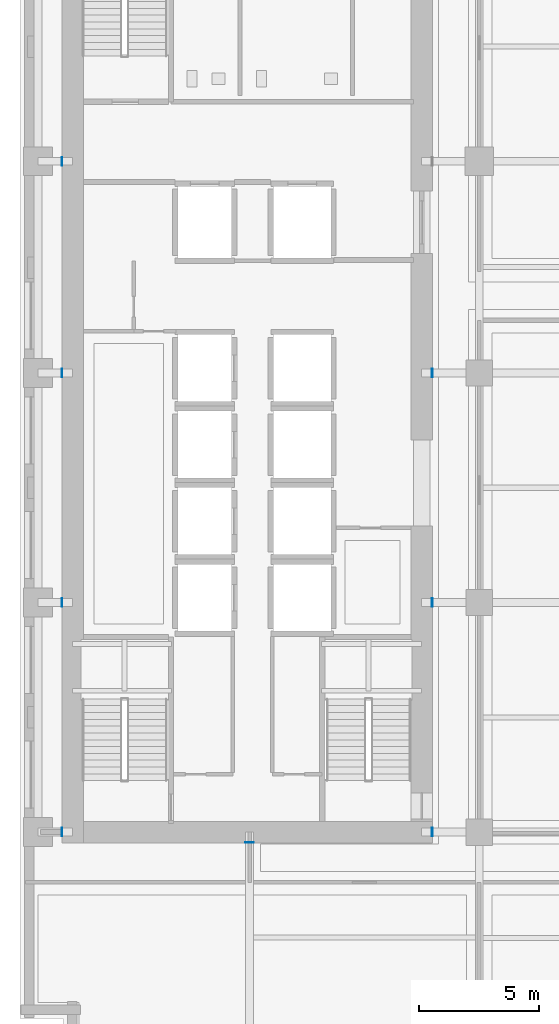
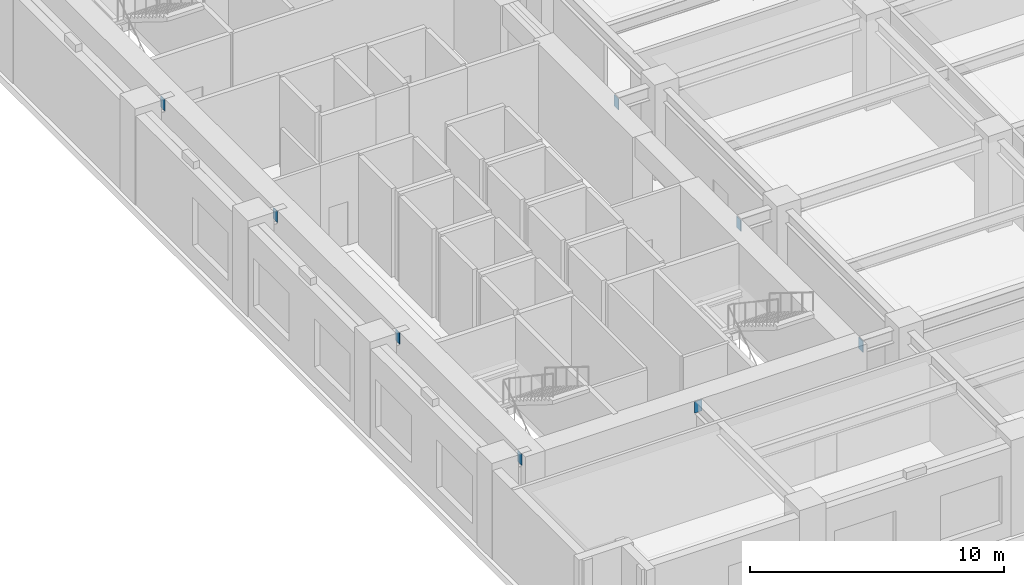
# One storey, part 14 of 24: 8 discrete accessories.
"""IFC4 building model written with IfcOpenShell, lengths in metres."""

import ifcopenshell
import ifcopenshell.guid

model = None  # the IFC model being written
_history = None  # IfcOwnerHistory: only IFC2X3 demands one
_inside = {}  # id of a spatial element -> (the spatial element, [elements in it])
_under = {}  # id of a project, library or spatial element -> (it, [spatial elements below it])
_declared = {}  # id of a project -> (the project, [libraries it declares])
_typed = {}  # id of a type object -> (the type object, [elements of that type])
_made_of = {}  # id of a material, layer set ... -> (it, [elements and type objects made of it])


def new_model(schema):
    """Start an empty IFC model of exactly this schema.

    Asked for "IFC4X3", IfcOpenShell would pick the latest addendum, in which some entities
    have other attributes; the version numbers below select the first issue.
    IFC2X3 requires an IfcOwnerHistory on every rooted entity: one is made here for all.
    """
    global model, _history
    if schema == "IFC4X3":
        model = ifcopenshell.file(schema_version=(4, 3, 0, 0))
    else:
        model = ifcopenshell.file(schema=schema)
    _inside.clear()
    _under.clear()
    _declared.clear()
    _typed.clear()
    _made_of.clear()
    _history = None
    if model.schema == "IFC2X3":
        org = make("IfcOrganization", Name="unknown")
        user = make(
            "IfcPersonAndOrganization",
            ThePerson=make("IfcPerson", FamilyName="unknown"),
            TheOrganization=org,
        )
        app = make(
            "IfcApplication",
            ApplicationDeveloper=org,
            Version="unknown",
            ApplicationFullName="unknown",
            ApplicationIdentifier="unknown",
        )
        _history = make(
            "IfcOwnerHistory",
            OwningUser=user,
            OwningApplication=app,
            ChangeAction="ADDED",
            CreationDate=0,
        )
    return model


def make(cls, **values):
    """One entity of the class cls with the attributes given. An attribute that is None is left unset."""
    return model.create_entity(
        cls, **{name: value for name, value in values.items() if value is not None}
    )


def rooted(cls, **values):
    """An entity with a GlobalId (a new one), such as an element, a storey or a relation."""
    return make(cls, GlobalId=ifcopenshell.guid.new(), OwnerHistory=_history, **values)


def si_unit(unit_type, name, prefix=None):
    """IfcSIUnit, for example si_unit("LENGTHUNIT", "METRE", prefix="MILLI")."""
    return make("IfcSIUnit", UnitType=unit_type, Prefix=prefix, Name=name)


def assignment(units):
    """IfcUnitAssignment: the units of a project."""
    return None if units is None else make("IfcUnitAssignment", Units=units)


def point(xyz):
    """IfcCartesianPoint."""
    return None if xyz is None else make("IfcCartesianPoint", Coordinates=xyz)


def direction(xyz):
    """IfcDirection."""
    return None if xyz is None else make("IfcDirection", DirectionRatios=xyz)


def frame(location, z_axis=None, x_axis=None):
    """IfcAxis2Placement3D, a coordinate frame: its origin and axes. An axis left out is left unset."""
    return make(
        "IfcAxis2Placement3D",
        Location=point(location),
        Axis=direction(z_axis),
        RefDirection=direction(x_axis),
    )


def frame_2d(location, x_axis=None):
    """IfcAxis2Placement2D, a coordinate frame in the plane: its origin and x axis."""
    return make(
        "IfcAxis2Placement2D", Location=point(location), RefDirection=direction(x_axis)
    )


def origin():
    """The frame at (0, 0, 0) with its axes left unset."""
    return frame((0.0, 0.0, 0.0))


def origin_2d():
    """The frame at (0, 0) in the plane with its x axis left unset."""
    return frame_2d((0.0, 0.0))


def place(relative_to, where):
    """IfcLocalPlacement: puts the frame where relative to a parent placement (None: the world)."""
    return make(
        "IfcLocalPlacement", PlacementRelTo=relative_to, RelativePlacement=where
    )


def context(
    kind, dimensions, precision=None, world=None, true_north=None, identifier=None
):
    """IfcGeometricRepresentationContext, for example the 3D "Model" context."""
    return make(
        "IfcGeometricRepresentationContext",
        ContextIdentifier=identifier,
        ContextType=kind,
        CoordinateSpaceDimension=dimensions,
        Precision=precision,
        WorldCoordinateSystem=world,
        TrueNorth=true_north,
    )


def subcontext(parent, identifier, kind, view, scale=None):
    """IfcGeometricRepresentationSubContext, for example "Body" below "Model"."""
    return make(
        "IfcGeometricRepresentationSubContext",
        ContextIdentifier=identifier,
        ContextType=kind,
        ParentContext=parent,
        TargetScale=scale,
        TargetView=view,
    )


def project(units=None, contexts=None):
    """IfcProject with its units and contexts."""
    return rooted(
        "IfcProject",
        Name="project",
        RepresentationContexts=contexts,
        UnitsInContext=assignment(units),
    )


def spatial(cls, under=None, at=None, **own):
    """A site, building, storey or space (cls), placed at a placement, below another one or the project."""
    s = rooted(cls, ObjectPlacement=at, **own)
    if under is not None:
        _under.setdefault(under.id(), (under, []))[1].append(s)
    return s


def profile(cls, at=None, kind="AREA", **sizes):
    """A parametric profile (cls). Its sizes go by their IFC names, for example OverallWidth=200.0."""
    return make(cls, ProfileType=kind, Position=at, **sizes)


def rectangle(**sizes):
    """IfcRectangleProfileDef."""
    return profile("IfcRectangleProfileDef", **sizes)


def extrude(swept, where, along, depth):
    """IfcExtrudedAreaSolid: the profile swept, set in the frame where, extruded along a direction by depth."""
    return make(
        "IfcExtrudedAreaSolid",
        SweptArea=swept,
        Position=where,
        ExtrudedDirection=direction(along),
        Depth=depth,
    )


def shape(context_of_items, identifier, shape_type, items):
    """IfcShapeRepresentation: the items that make up one representation, for example the "Body"."""
    return make(
        "IfcShapeRepresentation",
        ContextOfItems=context_of_items,
        RepresentationIdentifier=identifier,
        RepresentationType=shape_type,
        Items=items,
    )


def material(Name=None, Category=None):
    """IfcMaterial."""
    return make("IfcMaterial", Name=Name, Category=Category)


def layer(
    of_material, thickness, ventilated=None, Name=None, Category=None, Priority=None
):
    """IfcMaterialLayer: one layer of a wall or slab, of a material (None: an air gap)."""
    return make(
        "IfcMaterialLayer",
        Material=of_material,
        LayerThickness=thickness,
        IsVentilated=ventilated,
        Name=Name,
        Category=Category,
        Priority=Priority,
    )


def layer_set(layers, Name=None):
    """IfcMaterialLayerSet."""
    return make("IfcMaterialLayerSet", MaterialLayers=layers, LayerSetName=Name)


def made_of(thing, what):
    """Note that an element or type object is made of a material, layer set ...; save() writes the relation."""
    if what is not None:
        _made_of.setdefault(what.id(), (what, []))[1].append(thing)
    return thing


def type_object(cls, material=None, **own):
    """A type object (cls), such as IfcWallType, which elements share."""
    return made_of(rooted(cls, **own), material)


def element(
    cls,
    number,
    at=None,
    inside=None,
    cuts=None,
    type_object=None,
    material=None,
    context=None,
    identifier="Body",
    shape_type=None,
    held_by="IfcProductDefinitionShape",
    body=None,
    shapes=None,
    **own,
):
    """One element of the class cls, such as IfcWall. Its Tag is "e" and its number.

    at: its placement. inside: the storey or other place that contains it. cuts: it is an
    opening in that element (IfcRelVoidsElement). A single representation is given by context,
    identifier, shape_type and body (its items); several are given by shapes. held_by: the class
    of the entity that holds the representations. save() writes the other relations.
    """
    e = rooted(cls, Tag="e%d" % number, ObjectPlacement=at, **own)
    if body is not None:
        shapes = [shape(context, identifier, shape_type, body)]
    if shapes is not None:
        e.Representation = make(held_by, Representations=shapes)
    if inside is not None:
        _inside.setdefault(inside.id(), (inside, []))[1].append(e)
    if cuts is not None:
        rooted(
            "IfcRelVoidsElement", RelatingBuildingElement=cuts, RelatedOpeningElement=e
        )
    if type_object is not None:
        _typed.setdefault(type_object.id(), (type_object, []))[1].append(e)
    return made_of(e, material)


def aggregate(whole, parts):
    """IfcRelAggregates: a whole, such as a stair, and the parts it consists of."""
    return rooted("IfcRelAggregates", RelatingObject=whole, RelatedObjects=parts)


def save(model, path):
    """Write the relations noted so far, then the file.

    IfcRelAggregates (storeys below a building ...), IfcRelContainedInSpatialStructure (elements
    in a storey), IfcRelDefinesByType, IfcRelAssociatesMaterial and IfcRelDeclares: one each for
    every whole, place, type object, material and project.
    """
    for whole, parts in _under.values():
        aggregate(whole, parts)
    for where, things in _inside.values():
        rooted(
            "IfcRelContainedInSpatialStructure",
            RelatedElements=things,
            RelatingStructure=where,
        )
    for kind, things in _typed.values():
        rooted("IfcRelDefinesByType", RelatedObjects=things, RelatingType=kind)
    for what, things in _made_of.values():
        rooted("IfcRelAssociatesMaterial", RelatedObjects=things, RelatingMaterial=what)
    for by, libraries in _declared.values():
        rooted("IfcRelDeclares", RelatingContext=by, RelatedDefinitions=libraries)
    model.write(path)


model = new_model("IFC4")

# Units and contexts
model_context = context("Model", 3, precision=1e-05, world=origin(), true_north=direction((0.0, 1.0)))
body_context = subcontext(model_context, "Body", "Model", "MODEL_VIEW")
ifc_project = project(units=[si_unit("LENGTHUNIT", "METRE"), si_unit("AREAUNIT", "SQUARE_METRE"), si_unit("VOLUMEUNIT", "CUBIC_METRE"), si_unit("PLANEANGLEUNIT", "RADIAN"), si_unit("MASSUNIT", "GRAM", prefix="KILO")], contexts=[model_context])

# Site, building, storey
site_placement = place(None, origin())
site = spatial("IfcSite", under=ifc_project, at=site_placement, CompositionType="ELEMENT")
building_placement = place(site_placement, origin())
building = spatial("IfcBuilding", under=site, at=building_placement, Name="Norrvale University Quadrangle", CompositionType="ELEMENT")
storey_placement = place(building_placement, frame((0.0, 0.0, 15.0)))
storey = spatial("IfcBuildingStorey", under=building, at=storey_placement, Name="L03", CompositionType="ELEMENT", Elevation=15.0)

# Discrete accessories
ifc_material = material(Name="Steel 350W", Category="steel")
ifc_layer = layer(ifc_material, 0.02490234375, Name="Steel 350W")
ifc_layer_set = layer_set([ifc_layer], Name="Steel 350W")
discrete_accessory_type = type_object("IfcDiscreteAccessoryType", Name="Accessory Cast In Embed Plate", PredefinedType="ANCHORPLATE", material=ifc_layer_set)
for number, where, z_axis, x_axis, name in (
    (1, (1.762451171875, 9.60009765625, 3.679931640625), (0.0, 0.0, 1.0), (1.0, 0.0, 0.0), "Core Wall Cast-in Embed Plate L03-GCW069"),
    (2, (17.237548828125, 9.60009765625, 3.679931640625), (0.0, 0.0, 1.0), (1.0, 0.0, 0.0), "Core Wall Cast-in Embed Plate L03-GCE070"),
    (3, (1.762451171875, 19.199951171875, 3.679931640625), (0.0, 0.0, 1.0), (1.0, 0.0, 0.0), "Core Wall Cast-in Embed Plate L03-GCW071"),
    (4, (17.237548828125, 19.199951171875, 3.679931640625), (0.0, 0.0, 1.0), (1.0, 0.0, 0.0), "Core Wall Cast-in Embed Plate L03-GCE072"),
    (5, (1.762451171875, 28.800048828125, 3.679931640625), (0.0, 0.0, 1.0), (1.0, 0.0, 0.0), "Core Wall Cast-in Embed Plate L03-GCW073"),
    (6, (17.237548828125, 28.800048828125, 3.679931640625), (0.0, 0.0, 1.0), (1.0, 0.0, 0.0), "Core Wall Cast-in Embed Plate L03-GCE074"),
    (7, (1.762451171875, 37.64990234375, 3.679931640625), (0.0, 0.0, 1.0), (1.0, 0.0, 0.0), "Core Wall Cast-in Embed Plate L03-GCW075"),
):
    element("IfcDiscreteAccessory", number, at=place(storey_placement, frame(where, z_axis=z_axis, x_axis=x_axis)), inside=storey, type_object=discrete_accessory_type, Name=name, PredefinedType="ANCHORPLATE", context=body_context, shape_type="SweptSolid", body=[
        extrude(rectangle(XDim=0.02490234375, YDim=0.35009765625, at=origin_2d()), origin(), (0.0, 0.0, 1.0), 0.5400390625),
    ])
discrete_accessory_placement = place(storey_placement, frame((9.60009765625, 9.16259765625, 3.679931640625), z_axis=(0.0, 0.0, 1.0), x_axis=(1.0, 0.0, 0.0)))
element("IfcDiscreteAccessory", 8, at=discrete_accessory_placement, inside=storey, type_object=discrete_accessory_type, Name="Core Wall Cast-in Embed Plate L03-GCS102", PredefinedType="ANCHORPLATE", context=body_context, shape_type="SweptSolid", body=[
    extrude(rectangle(XDim=0.35009765625, YDim=0.02490234375, at=origin_2d()), origin(), (0.0, 0.0, 1.0), 0.5400390625),
])

save(model, "model.ifc")
